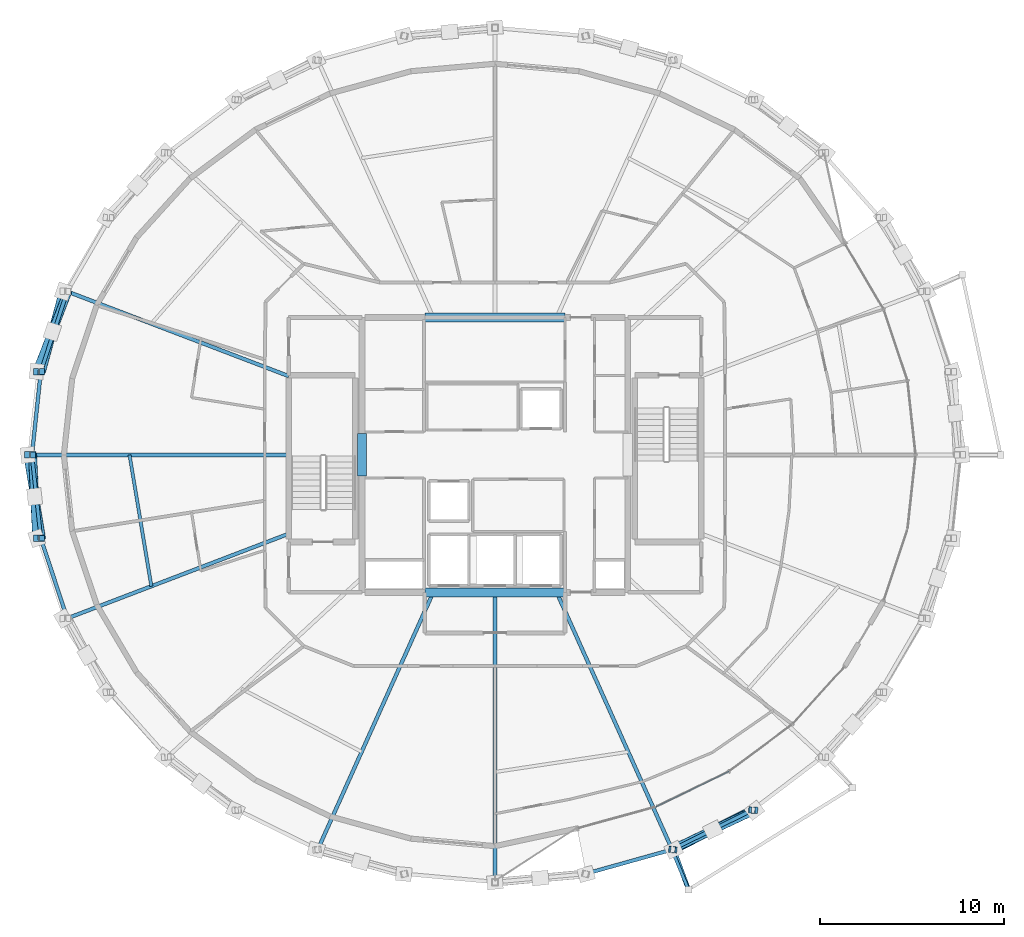
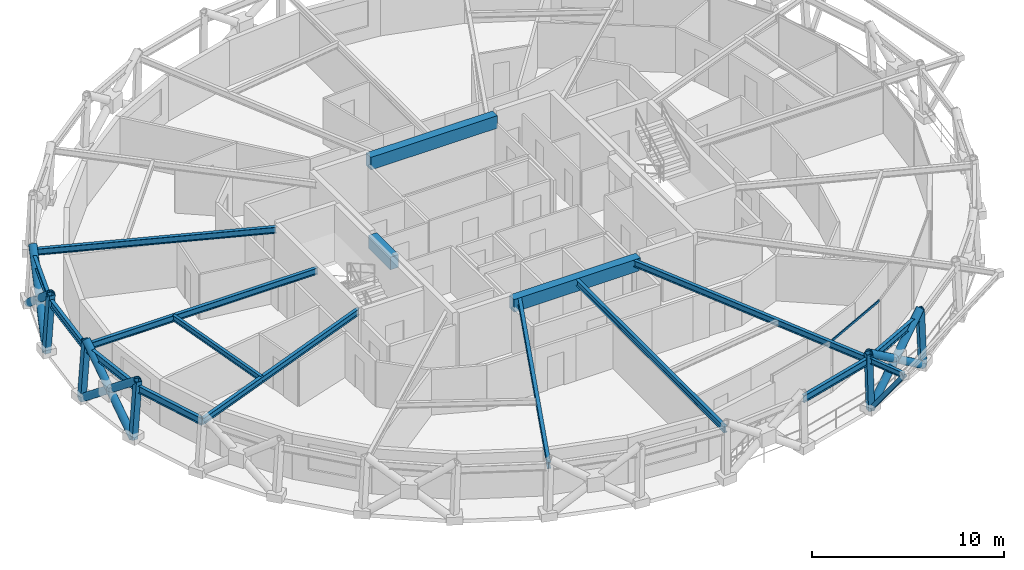
# One storey, part 3 of 18: 17 beams, 16 members, 1 element without a shape of its own.
"""IFC4 building model written with IfcOpenShell, lengths in metres."""

from ifc_helpers import new_model, si_unit, direction, frame, origin, origin_2d, place, context, subcontext, project, spatial, rectangle, hollow_rectangle, hollow_circle, i_section, extrude, material, layer, layer_set, material_profile, profile_set, type_object, element, aggregate, save


model = new_model("IFC4")

# Units and contexts
model_context = context("Model", 3, precision=1e-05, world=origin(), true_north=direction((0.0, 1.0)))
body_context = subcontext(model_context, "Body", "Model", "MODEL_VIEW")
ifc_project = project(units=[si_unit("LENGTHUNIT", "METRE"), si_unit("AREAUNIT", "SQUARE_METRE"), si_unit("VOLUMEUNIT", "CUBIC_METRE"), si_unit("PLANEANGLEUNIT", "RADIAN"), si_unit("MASSUNIT", "GRAM", prefix="KILO")], contexts=[model_context])

# Site, building, storey
site_placement = place(None, origin())
site = spatial("IfcSite", under=ifc_project, at=site_placement, CompositionType="ELEMENT")
building_placement = place(site_placement, origin())
building = spatial("IfcBuilding", under=site, at=building_placement, Name="Veldorina Hangang Commons", CompositionType="ELEMENT")
storey_placement = place(building_placement, frame((0.0, 0.0, 218.39990234375)))
storey = spatial("IfcBuildingStorey", under=building, at=storey_placement, Name="L56", CompositionType="ELEMENT", Elevation=218.39990234375)

# Beams
ifc_material_1 = material(Name="Concrete C50/60", Category="concrete")
ifc_material_profile_1 = material_profile(ifc_material_1, rectangle(XDim=0.5, YDim=0.800048828125, at=origin_2d()), Name="RC-CB-500x800")
ifc_profile_set_1 = profile_set([ifc_material_profile_1], Name="Concrete C50/60")
beam_type_1 = type_object("IfcBeamType", Name="BM-CB800", PredefinedType="LINTEL", material=ifc_profile_set_1)
beam_1_placement = place(storey_placement, frame((24.800048828125, 22.85009765625, 2.960205078125), z_axis=(0.0, 1.0, 0.0), x_axis=(-1.0, 0.0, 0.0)))
element("IfcBeam", 1, at=beam_1_placement, inside=storey, type_object=beam_type_1, Name="L56 W core coupling lintel beam", PredefinedType="LINTEL", context=body_context, shape_type="SweptSolid", body=[
    extrude(rectangle(XDim=0.5, YDim=0.800048828125, at=origin_2d()), origin(), (0.0, 0.0, 1.0), 2.2998046875),
])
for number, where, z_axis, x_axis, name in (
    (2, (28.199951171875, 16.550048828125, 2.960205078125), (1.0, 0.0, 0.0), (0.0, 1.0, 0.0), "L56 south core coupling beam"),
    (3, (28.199951171875, 31.449951171875, 2.960205078125), (1.0, 0.0, 0.0), (0.0, 1.0, 0.0), "L56 north core coupling beam"),
):
    element("IfcBeam", number, at=place(storey_placement, frame(where, z_axis=z_axis, x_axis=x_axis)), inside=storey, type_object=beam_type_1, Name=name, PredefinedType="LINTEL", context=body_context, shape_type="SweptSolid", body=[
        extrude(rectangle(XDim=0.5, YDim=0.800048828125, at=origin_2d()), origin(), (0.0, 0.0, 1.0), 7.60009765625),
    ])
ifc_material_2 = material(Name="Steel SM355-TMC", Category="steel")
ifc_material_profile_2 = material_profile(ifc_material_2, i_section(OverallWidth=0.175048828125, OverallDepth=0.35009765625, WebThickness=0.007080078125, FlangeThickness=0.010986328125, FilletRadius=0.012939453125, at=origin_2d()), Name="H-350x175x7x11")
ifc_profile_set_2 = profile_set([ifc_material_profile_2], Name="Steel SM355-TMC")
beam_type_2 = type_object("IfcBeamType", Name="BM-FG350", PredefinedType="BEAM", material=ifc_profile_set_2)
beam_2_placement = place(storey_placement, frame((41.59228515625, 2.60791015625, 3.18505859375), z_axis=(0.382666848522, -0.92388640159, 0.0), x_axis=(0.92388640159, 0.382666848522, 0.0)))
element("IfcBeam", 4, at=beam_2_placement, inside=storey, type_object=beam_type_2, Name="L57 tree balcony 1 bracket beam A", PredefinedType="BEAM", context=body_context, shape_type="SweptSolid", body=[
    extrude(i_section(OverallWidth=0.175048828125, OverallDepth=0.35009765625, WebThickness=0.007080078125, FlangeThickness=0.010986328125, FilletRadius=0.012939453125, at=origin_2d()), origin(), (0.0, 0.0, 1.0), 2.349853515625),
])
ifc_material_profile_3 = material_profile(ifc_material_2, i_section(OverallWidth=0.199951171875, OverallDepth=0.39990234375, WebThickness=0.008056640625, FlangeThickness=0.012939453125, FilletRadius=0.012939453125, at=origin_2d()), Name="H-400x200x8x13")
ifc_profile_set_3 = profile_set([ifc_material_profile_3], Name="Steel SM355-TMC")
beam_type_3 = type_object("IfcBeamType", Name="BM-FG400", PredefinedType="BEAM", material=ifc_profile_set_3)
beam_3_placement = place(storey_placement, frame((20.820068359375, 28.272216796875, 3.16015625), z_axis=(-0.934118707668, 0.356962519019, 0.0), x_axis=(-0.356962519019, -0.934118707668, 0.0)))
element("IfcBeam", 5, at=beam_3_placement, inside=storey, type_object=beam_type_3, Name="L56 radial floor girder 08", PredefinedType="BEAM", context=body_context, shape_type="SweptSolid", body=[
    extrude(i_section(OverallWidth=0.199951171875, OverallDepth=0.39990234375, WebThickness=0.008056640625, FlangeThickness=0.012939453125, FilletRadius=0.012939453125, at=origin_2d()), origin(), (0.0, 0.0, 1.0), 12.85595703125),
])
beam_4_placement = place(storey_placement, frame((20.820068359375, 24.0, 3.16015625), z_axis=(-1.0, 0.0, 0.0), x_axis=(0.0, -1.0, 0.0)))
element("IfcBeam", 6, at=beam_4_placement, inside=storey, type_object=beam_type_3, Name="L56 radial floor girder 09", PredefinedType="BEAM", context=body_context, shape_type="SweptSolid", body=[
    extrude(i_section(OverallWidth=0.199951171875, OverallDepth=0.39990234375, WebThickness=0.008056640625, FlangeThickness=0.012939453125, FilletRadius=0.012939453125, at=origin_2d()), origin(), (0.0, 0.0, 1.0), 13.919677734375),
])
beam_5_placement = place(storey_placement, frame((20.820068359375, 19.727783203125, 3.16015625), z_axis=(-0.934118707668, -0.356962519019, 0.0), x_axis=(0.356962519019, -0.934118707668, 0.0)))
element("IfcBeam", 7, at=beam_5_placement, inside=storey, type_object=beam_type_3, Name="L56 radial floor girder 10", PredefinedType="BEAM", context=body_context, shape_type="SweptSolid", body=[
    extrude(i_section(OverallWidth=0.199951171875, OverallDepth=0.39990234375, WebThickness=0.008056640625, FlangeThickness=0.012939453125, FilletRadius=0.012939453125, at=origin_2d()), origin(), (0.0, 0.0, 1.0), 12.85595703125),
])
beam_6_placement = place(storey_placement, frame((28.655029296875, 16.550048828125, 3.16015625), z_axis=(-0.409588775046, -0.912270264426, 0.0), x_axis=(0.912270264426, -0.409588775046, 0.0)))
element("IfcBeam", 8, at=beam_6_placement, inside=storey, type_object=beam_type_3, Name="L56 radial floor girder 12", PredefinedType="BEAM", context=body_context, shape_type="SweptSolid", body=[
    extrude(i_section(OverallWidth=0.199951171875, OverallDepth=0.39990234375, WebThickness=0.008056640625, FlangeThickness=0.012939453125, FilletRadius=0.012939453125, at=origin_2d()), origin(), (0.0, 0.0, 1.0), 15.2841796875),
])
beam_7_placement = place(storey_placement, frame((32.0, 16.550048828125, 3.16015625), z_axis=(0.0, -1.0, 0.0), x_axis=(1.0, 0.0, 0.0)))
element("IfcBeam", 9, at=beam_7_placement, inside=storey, type_object=beam_type_3, Name="L56 radial floor girder 13", PredefinedType="BEAM", context=body_context, shape_type="SweptSolid", body=[
    extrude(i_section(OverallWidth=0.199951171875, OverallDepth=0.39990234375, WebThickness=0.008056640625, FlangeThickness=0.012939453125, FilletRadius=0.012939453125, at=origin_2d()), origin(), (0.0, 0.0, 1.0), 15.7060546875),
])
beam_8_placement = place(storey_placement, frame((35.344970703125, 16.550048828125, 3.16015625), z_axis=(0.409588775046, -0.912270264426, 0.0), x_axis=(0.912270264426, 0.409588775046, 0.0)))
element("IfcBeam", 10, at=beam_8_placement, inside=storey, type_object=beam_type_3, Name="L56 radial floor girder 14", PredefinedType="BEAM", context=body_context, shape_type="SweptSolid", body=[
    extrude(i_section(OverallWidth=0.199951171875, OverallDepth=0.39990234375, WebThickness=0.008056640625, FlangeThickness=0.012939453125, FilletRadius=0.012939453125, at=origin_2d()), origin(), (0.0, 0.0, 1.0), 15.2841796875),
])
ifc_material_profile_4 = material_profile(ifc_material_2, i_section(OverallWidth=0.175048828125, OverallDepth=0.35009765625, WebThickness=0.007080078125, FlangeThickness=0.010986328125, FilletRadius=0.012939453125, at=origin_2d()), Name="H-350x175x7x11")
ifc_profile_set_4 = profile_set([ifc_material_profile_4], Name="Steel SM355-TMC")
beam_type_4 = type_object("IfcBeamType", Name="BM-JST350", PredefinedType="JOIST", material=ifc_profile_set_4)
beam_9_placement = place(storey_placement, frame((12.18994140625, 24.0, 3.18505859375), z_axis=(0.164174016963, -0.986431392523, 0.0), x_axis=(0.986431392523, 0.164174016963, 0.0)))
element("IfcBeam", 11, at=beam_9_placement, inside=storey, type_object=beam_type_4, Name="L56 secondary floor joist 09", PredefinedType="JOIST", context=body_context, shape_type="SweptSolid", body=[
    extrude(i_section(OverallWidth=0.175048828125, OverallDepth=0.35009765625, WebThickness=0.007080078125, FlangeThickness=0.010986328125, FilletRadius=0.012939453125, at=origin_2d()), origin(), (0.0, 0.0, 1.0), 7.21533203125),
])
ifc_material_profile_5 = material_profile(ifc_material_2, i_section(OverallWidth=0.199951171875, OverallDepth=0.449951171875, WebThickness=0.009033203125, FlangeThickness=0.013916015625, FilletRadius=0.01611328125, at=origin_2d()), Name="H-450x200x9x14")
ifc_profile_set_5 = profile_set([ifc_material_profile_5], Name="Steel SM355-TMC")
beam_type_5 = type_object("IfcBeamType", Name="BM-RB450", PredefinedType="BEAM", material=ifc_profile_set_5)
beam_10_placement = place(storey_placement, frame((8.81103515625, 32.861328125, 3.135009765625), z_axis=(-0.312348797553, -0.949967488216, 0.0), x_axis=(0.949967488216, -0.312348797553, 0.0)))
element("IfcBeam", 12, at=beam_10_placement, inside=storey, type_object=beam_type_5, Name="L56 perimeter hoop ring beam 14", PredefinedType="BEAM", context=body_context, shape_type="SweptSolid", body=[
    extrude(i_section(OverallWidth=0.199951171875, OverallDepth=0.449951171875, WebThickness=0.009033203125, FlangeThickness=0.013916015625, FilletRadius=0.01611328125, at=origin_2d()), origin(), (0.0, 0.0, 1.0), 4.572509765625),
])
for number, where, z_axis, x_axis, name in (
    (13, (7.3828125, 28.517578125, 3.135009765625), (-0.106183997013, -0.994346498349, 0.0), (0.994346498349, -0.106183997013, 0.0), "L56 perimeter hoop ring beam 15"),
    (14, (6.900390625, 24.0, 3.135009765625), (0.106183997013, -0.994346498349, 0.0), (0.994346498349, 0.106183997013, 0.0), "L56 perimeter hoop ring beam 16"),
):
    element("IfcBeam", number, at=place(storey_placement, frame(where, z_axis=z_axis, x_axis=x_axis)), inside=storey, type_object=beam_type_5, Name=name, PredefinedType="BEAM", context=body_context, shape_type="SweptSolid", body=[
        extrude(i_section(OverallWidth=0.199951171875, OverallDepth=0.449951171875, WebThickness=0.009033203125, FlangeThickness=0.013916015625, FilletRadius=0.01611328125, at=origin_2d()), origin(), (0.0, 0.0, 1.0), 4.543212890625),
    ])
beam_11_placement = place(storey_placement, frame((7.3828125, 19.482421875, 3.135009765625), z_axis=(0.312348797553, -0.949967488216, 0.0), x_axis=(0.949967488216, 0.312348797553, 0.0)))
element("IfcBeam", 15, at=beam_11_placement, inside=storey, type_object=beam_type_5, Name="L56 perimeter hoop ring beam 17", PredefinedType="BEAM", context=body_context, shape_type="SweptSolid", body=[
    extrude(i_section(OverallWidth=0.199951171875, OverallDepth=0.449951171875, WebThickness=0.009033203125, FlangeThickness=0.013916015625, FilletRadius=0.01611328125, at=origin_2d()), origin(), (0.0, 0.0, 1.0), 4.572509765625),
])
beam_12_placement = place(storey_placement, frame((36.896484375, 1.288818359375, 3.135009765625), z_axis=(0.962994608435, 0.269520656211, 0.0), x_axis=(-0.269520656211, 0.962994608435, 0.0)))
element("IfcBeam", 16, at=beam_12_placement, inside=storey, type_object=beam_type_5, Name="L56 perimeter hoop ring beam 25", PredefinedType="BEAM", context=body_context, shape_type="SweptSolid", body=[
    extrude(i_section(OverallWidth=0.199951171875, OverallDepth=0.449951171875, WebThickness=0.009033203125, FlangeThickness=0.013916015625, FilletRadius=0.01611328125, at=origin_2d()), origin(), (0.0, 0.0, 1.0), 4.8896484375),
])
beam_13_placement = place(storey_placement, frame((41.605224609375, 2.606689453125, 3.135009765625), z_axis=(0.896896095875, 0.442241329146, 0.0), x_axis=(-0.442241329146, 0.896896095875, 0.0)))
element("IfcBeam", 17, at=beam_13_placement, inside=storey, type_object=beam_type_5, Name="L56 perimeter hoop ring beam 26", PredefinedType="BEAM", context=body_context, shape_type="SweptSolid", body=[
    extrude(i_section(OverallWidth=0.199951171875, OverallDepth=0.449951171875, WebThickness=0.009033203125, FlangeThickness=0.013916015625, FilletRadius=0.01611328125, at=origin_2d()), origin(), (0.0, 0.0, 1.0), 4.838134765625),
])

# Curtain wall, member
ifc_material_3 = material(Name="Glass Low-E Selective", Category="glass")
ifc_layer = layer(ifc_material_3, 0.179931640625)
ifc_layer_set = layer_set([ifc_layer], Name="Glass Low-E Selective")
curtain_wall_type = type_object("IfcCurtainWallType", Name="CW-SYS-Z3", PredefinedType="NOTDEFINED", material=ifc_layer_set)
curtain_wall_placement = place(storey_placement, origin())
curtain_wall = element("IfcCurtainWall", 18, at=curtain_wall_placement, inside=storey, type_object=curtain_wall_type, Name="L56 unitised curtain wall CW-L56-R1", PredefinedType="NOTDEFINED")
ifc_material_4 = material(Name="Aluminium Anodized AA6063-T6", Category="aluminium")
ifc_material_profile_6 = material_profile(ifc_material_4, hollow_rectangle(XDim=0.06005859375, YDim=0.139892578125, WallThickness=0.00341796875, at=origin_2d()), Name="ALU-RHS-140x60x3.5")
ifc_profile_set_6 = profile_set([ifc_material_profile_6], Name="Aluminium Anodized AA6063-T6")
member_type_1 = type_object("IfcMemberType", Name="CW-TRN-140", PredefinedType="USERDEFINED", material=ifc_profile_set_6)
member_1_placement = place(storey_placement, frame((40.728515625, 4.9248046875, 3.280029296875), z_axis=(0.90014797358, 0.435584234862, 0.0), x_axis=(-0.435584234862, 0.90014797358, 0.0)))
member_1 = element("IfcMember", 19, at=member_1_placement, type_object=member_type_1, Name="CW-L56-R1 facet 2 transom 1", ObjectType="TRANSOM", PredefinedType="USERDEFINED", context=body_context, shape_type="SweptSolid", body=[
    extrude(hollow_rectangle(XDim=0.06005859375, YDim=0.139892578125, WallThickness=0.00341796875, at=origin_2d()), origin(), (0.0, 0.0, 1.0), 4.380859375),
])
aggregate(curtain_wall, [member_1])

# Members
ifc_material_profile_7 = material_profile(ifc_material_2, hollow_circle(Radius=0.22509765625, WallThickness=0.02197265625, at=origin_2d()), Name="CHS-450x22")
ifc_profile_set_7 = profile_set([ifc_material_profile_7], Name="Steel SM355-TMC")
member_type_2 = type_object("IfcMemberType", Name="DG-CHS450", PredefinedType="BRACE", material=ifc_profile_set_7)
member_2_placement = place(storey_placement, frame((8.599365234375, 32.865478515625, 0.0), z_axis=(-0.205158687532, -0.753885162707, 0.624153085693), x_axis=(0.964908696669, -0.262585618593, 0.0)))
element("IfcMember", 20, at=member_2_placement, inside=storey, type_object=member_type_2, Name="L56 continuous perimeter diagrid brace 14", PredefinedType="BRACE", context=body_context, shape_type="SweptSolid", body=[
    extrude(hollow_circle(Radius=0.22509765625, WallThickness=0.02197265625, at=origin_2d()), origin(), (0.0, 0.0, 1.0), 5.76806640625),
])
member_3_placement = place(storey_placement, frame((7.157958984375, 28.51953125, 0.0), z_axis=(0.28835159746, 0.736751178449, 0.611597136436), x_axis=(-0.931218047162, 0.364462547652, 0.0)))
element("IfcMember", 21, at=member_3_placement, inside=storey, type_object=member_type_2, Name="L56 split perimeter diagrid lower brace 15", PredefinedType="BRACE", context=body_context, shape_type="SweptSolid", body=[
    extrude(hollow_circle(Radius=0.22509765625, WallThickness=0.02197265625, at=origin_2d()), origin(), (0.0, 0.0, 1.0), 2.945556640625),
])
member_4_placement = place(storey_placement, frame((8.00732421875, 30.689697265625, 1.801513671875), z_axis=(0.284038475707, 0.738367192185, 0.611666603489), x_axis=(-0.933323965248, 0.35903534073, 0.0)))
element("IfcMember", 22, at=member_4_placement, inside=storey, type_object=member_type_2, Name="L56 split perimeter diagrid upper brace 15", PredefinedType="BRACE", context=body_context, shape_type="SweptSolid", body=[
    extrude(hollow_circle(Radius=0.22509765625, WallThickness=0.02197265625, at=origin_2d()), origin(), (0.0, 0.0, 1.0), 2.9404296875),
])
member_5_placement = place(storey_placement, frame((6.67138671875, 24.0, 0.0), z_axis=(0.127854672615, -0.775595787775, 0.618145902418), x_axis=(0.986683521681, 0.162651861481, 0.0)))
element("IfcMember", 23, at=member_5_placement, inside=storey, type_object=member_type_2, Name="L56 continuous perimeter diagrid brace 16", PredefinedType="BRACE", context=body_context, shape_type="SweptSolid", body=[
    extrude(hollow_circle(Radius=0.22509765625, WallThickness=0.02197265625, at=origin_2d()), origin(), (0.0, 0.0, 1.0), 5.823974609375),
])
member_6_placement = place(storey_placement, frame((7.157958984375, 19.48046875, 0.0), z_axis=(-0.039505986345, 0.781509447829, 0.622641357441), x_axis=(-0.998724748078, -0.050486409819, 0.0)))
element("IfcMember", 24, at=member_6_placement, inside=storey, type_object=member_type_2, Name="L56 split perimeter diagrid lower brace 17", PredefinedType="BRACE", context=body_context, shape_type="SweptSolid", body=[
    extrude(hollow_circle(Radius=0.22509765625, WallThickness=0.02197265625, at=origin_2d()), origin(), (0.0, 0.0, 1.0), 2.89208984375),
])
member_7_placement = place(storey_placement, frame((7.043701171875, 21.74072265625, 1.80078125), z_axis=(-0.037757738589, 0.781678104919, 0.622538106036), x_axis=(-0.998835426529, -0.048247183451, 0.0)))
element("IfcMember", 25, at=member_7_placement, inside=storey, type_object=member_type_2, Name="L56 split perimeter diagrid upper brace 17", PredefinedType="BRACE", context=body_context, shape_type="SweptSolid", body=[
    extrude(hollow_circle(Radius=0.22509765625, WallThickness=0.02197265625, at=origin_2d()), origin(), (0.0, 0.0, 1.0), 2.890380859375),
])
member_8_placement = place(storey_placement, frame((41.69287109375, 2.5966796875, 0.0), z_axis=(0.710359915413, 0.361018700739, 0.604197226319), x_axis=(-0.453065926565, 0.891477013829, 0.0)))
element("IfcMember", 26, at=member_8_placement, inside=storey, type_object=member_type_2, Name="L56 continuous perimeter diagrid brace 26", PredefinedType="BRACE", context=body_context, shape_type="SweptSolid", body=[
    extrude(hollow_circle(Radius=0.22509765625, WallThickness=0.02197265625, at=origin_2d()), origin(), (0.0, 0.0, 1.0), 5.95849609375),
])
member_9_placement = place(storey_placement, frame((46.072021484375, 4.737548828125, 0.0), z_axis=(-0.732239993835, -0.344662850527, 0.587394340196), x_axis=(0.425877279627, -0.904780936303, 0.0)))
element("IfcMember", 27, at=member_9_placement, inside=storey, type_object=member_type_2, Name="L56 split perimeter diagrid lower brace 27", PredefinedType="BRACE", context=body_context, shape_type="SweptSolid", body=[
    extrude(hollow_circle(Radius=0.22509765625, WallThickness=0.02197265625, at=origin_2d()), origin(), (0.0, 0.0, 1.0), 3.077880859375),
])
member_10_placement = place(storey_placement, frame((43.818359375, 3.6767578125, 1.807861328125), z_axis=(-0.729568207488, -0.350301558717, 0.58738322123), x_axis=(0.432840345381, -0.901470595977, 0.0)))
element("IfcMember", 28, at=member_10_placement, inside=storey, type_object=member_type_2, Name="L56 split perimeter diagrid upper brace 27", PredefinedType="BRACE", context=body_context, shape_type="SweptSolid", body=[
    extrude(hollow_circle(Radius=0.22509765625, WallThickness=0.02197265625, at=origin_2d()), origin(), (0.0, 0.0, 1.0), 3.05126953125),
])
ifc_material_profile_8 = material_profile(ifc_material_2, hollow_rectangle(XDim=0.25, YDim=0.25, WallThickness=0.011962890625, at=origin_2d()), Name="SHS-250x250x12")
ifc_profile_set_8 = profile_set([ifc_material_profile_8], Name="Steel SM355-TMC")
member_type_3 = type_object("IfcMemberType", Name="STR-SHS250", PredefinedType="STRUT", material=ifc_profile_set_8)
member_11_placement = place(storey_placement, frame((41.69287109375, 2.5966796875, 0.0), z_axis=(0.203191504829, -0.549505365856, 0.810405494343), x_axis=(0.937931527331, 0.346820486762, 0.0)))
element("IfcMember", 29, at=member_11_placement, inside=storey, type_object=member_type_3, Name="L57 tree balcony 1 raking knee strut A", PredefinedType="STRUT", context=body_context, shape_type="SweptSolid", body=[
    extrude(hollow_rectangle(XDim=0.25, YDim=0.25, WallThickness=0.011962890625, at=origin_2d()), origin(), (0.0, 0.0, 1.0), 3.93017578125),
])
ifc_material_profile_9 = material_profile(ifc_material_2, hollow_rectangle(XDim=0.35009765625, YDim=0.35009765625, WallThickness=0.01611328125, at=origin_2d()), Name="SHS-350x350x16")
ifc_profile_set_9 = profile_set([ifc_material_profile_9], Name="Steel SM355-TMC")
member_type_4 = type_object("IfcMemberType", Name="STR-SHS350", PredefinedType="STRUT", material=ifc_profile_set_9)
member_12_placement = place(storey_placement, frame((7.157958984375, 28.51953125, 0.0), z_axis=(0.071496995736, -0.00067641434, 0.997440585732), x_axis=(0.009460314572, 0.999955250223, 0.0)))
element("IfcMember", 30, at=member_12_placement, inside=storey, type_object=member_type_4, Name="L56 perimeter ring node post 15", PredefinedType="STRUT", context=body_context, shape_type="SweptSolid", body=[
    extrude(hollow_rectangle(XDim=0.35009765625, YDim=0.35009765625, WallThickness=0.01611328125, at=origin_2d()), origin(), (0.0, 0.0, 1.0), 3.609375),
])
member_13_placement = place(storey_placement, frame((6.67138671875, 24.0, 0.0), z_axis=(0.072910004662, 0.0, 0.997338523883), x_axis=(0.0, 1.0, 0.0)))
element("IfcMember", 31, at=member_13_placement, inside=storey, type_object=member_type_4, Name="L56 perimeter ring node post 16", PredefinedType="STRUT", context=body_context, shape_type="SweptSolid", body=[
    extrude(hollow_rectangle(XDim=0.35009765625, YDim=0.35009765625, WallThickness=0.01611328125, at=origin_2d()), origin(), (0.0, 0.0, 1.0), 3.609619140625),
])
member_14_placement = place(storey_placement, frame((7.157958984375, 19.48046875, 0.0), z_axis=(0.071496995736, 0.00067641434, 0.997440585732), x_axis=(-0.009460314572, 0.999955250223, 0.0)))
element("IfcMember", 32, at=member_14_placement, inside=storey, type_object=member_type_4, Name="L56 perimeter ring node post 17", PredefinedType="STRUT", context=body_context, shape_type="SweptSolid", body=[
    extrude(hollow_rectangle(XDim=0.35009765625, YDim=0.35009765625, WallThickness=0.01611328125, at=origin_2d()), origin(), (0.0, 0.0, 1.0), 3.609375),
])
member_15_placement = place(storey_placement, frame((41.69287109375, 2.5966796875, 0.0), z_axis=(-0.027928745542, 0.003118257997, 0.999605052828), x_axis=(-0.110961016846, -0.993824759573, 0.0)))
element("IfcMember", 33, at=member_15_placement, inside=storey, type_object=member_type_4, Name="L56 perimeter ring node post 26", PredefinedType="STRUT", context=body_context, shape_type="SweptSolid", body=[
    extrude(hollow_rectangle(XDim=0.35009765625, YDim=0.35009765625, WallThickness=0.01611328125, at=origin_2d()), origin(), (0.0, 0.0, 1.0), 3.6015625),
])
member_16_placement = place(storey_placement, frame((46.072021484375, 4.737548828125, 0.0), z_axis=(-0.040655195292, 0.00284586367, 0.999169182949), x_axis=(-0.0698291277, -0.997558967142, 0.0)))
element("IfcMember", 34, at=member_16_placement, inside=storey, type_object=member_type_4, Name="L56 perimeter ring node post 27", PredefinedType="STRUT", context=body_context, shape_type="SweptSolid", body=[
    extrude(hollow_rectangle(XDim=0.35009765625, YDim=0.35009765625, WallThickness=0.01611328125, at=origin_2d()), origin(), (0.0, 0.0, 1.0), 3.60302734375),
])

save(model, "model.ifc")
